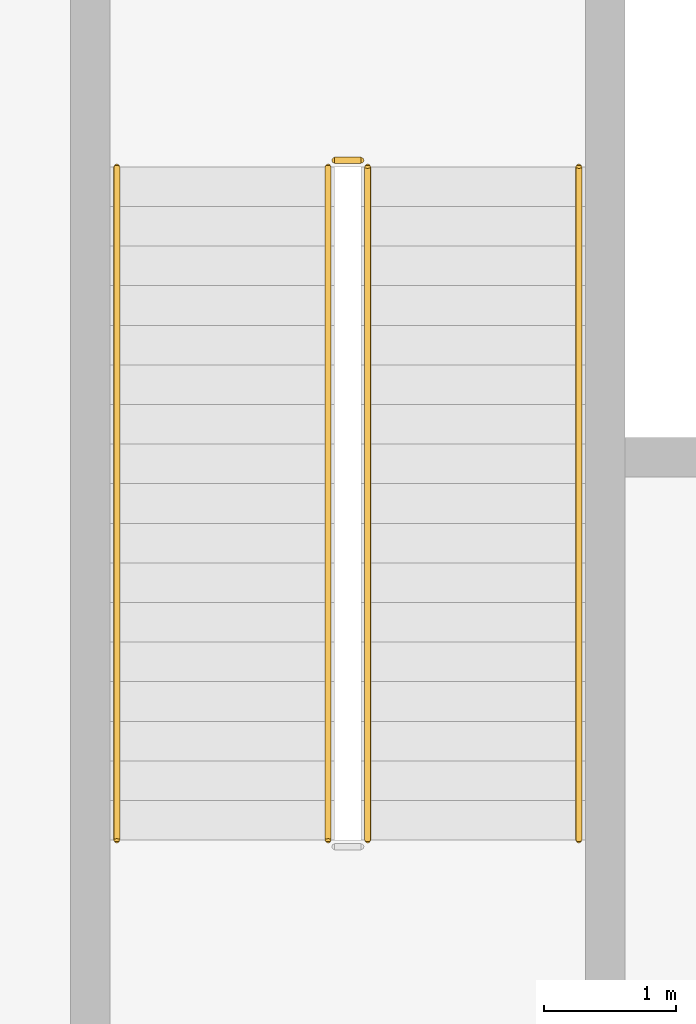
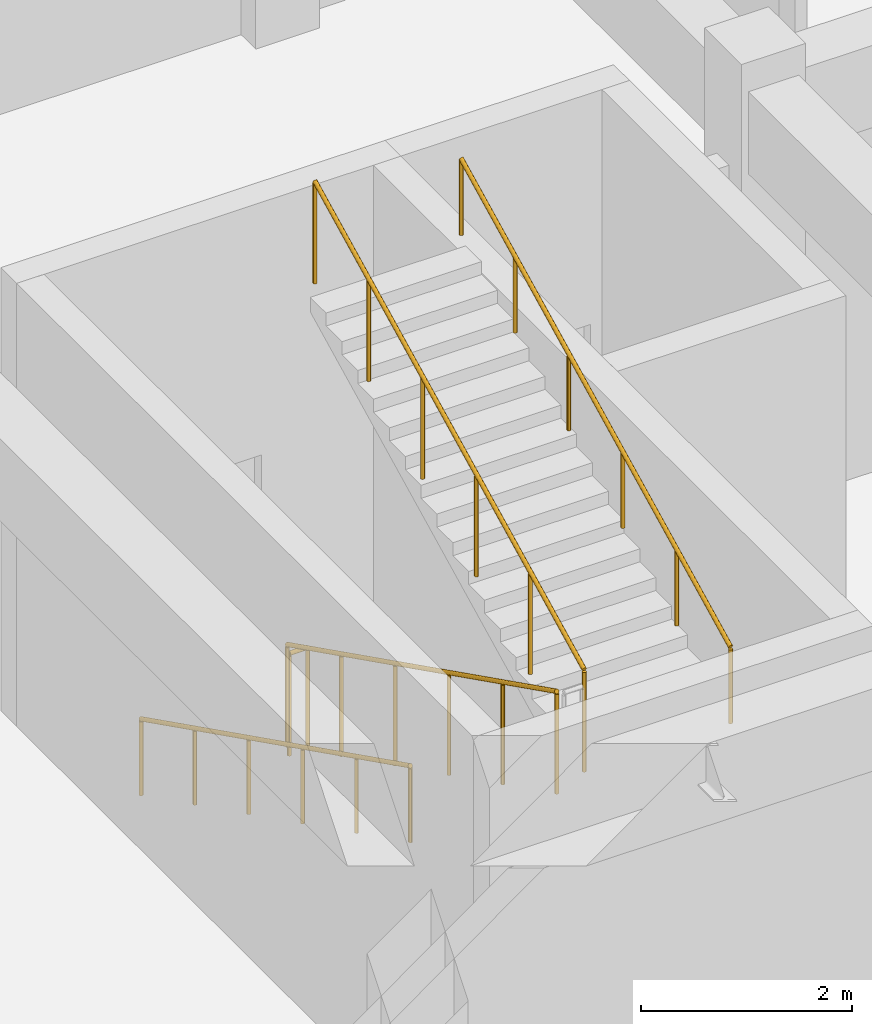
# One storey, part 75 of 76: 5 railings.
"""IFC4 building model written with IfcOpenShell, lengths in metres."""

from ifc_helpers import new_model, si_unit, direction, frame, origin, origin_2d, place, context, subcontext, project, spatial, circle, extrude, material, type_object, element, save


model = new_model("IFC4")

# Units and contexts
model_context = context("Model", 3, precision=1e-05, world=origin(), true_north=direction((0.0, 1.0)))
body_context = subcontext(model_context, "Body", "Model", "MODEL_VIEW")
ifc_project = project(units=[si_unit("LENGTHUNIT", "METRE"), si_unit("AREAUNIT", "SQUARE_METRE"), si_unit("VOLUMEUNIT", "CUBIC_METRE"), si_unit("PLANEANGLEUNIT", "RADIAN"), si_unit("MASSUNIT", "GRAM", prefix="KILO")], contexts=[model_context])

# Site, building, storey
site_placement = place(None, origin())
site = spatial("IfcSite", under=ifc_project, at=site_placement, CompositionType="ELEMENT")
building_placement = place(site_placement, origin())
building = spatial("IfcBuilding", under=site, at=building_placement, Name="Bozkorgan Art Gallery", CompositionType="ELEMENT")
storey_placement = place(building_placement, origin())
storey = spatial("IfcBuildingStorey", under=building, at=storey_placement, Name="L00", CompositionType="ELEMENT", Elevation=0.0)

# Railings
ifc_material = material(Name="Steel S355J2", Category="steel")
railing_type_1 = type_object("IfcRailingType", Name="RAIL-GRD-115", PredefinedType="GUARDRAIL", material=ifc_material)
railing_1_placement = place(storey_placement, frame((140.050048828125, 82.949951171875, 0.14990234375)))
element("IfcRailing", 1, at=railing_1_placement, inside=storey, type_object=railing_type_1, Name="L00 ST3 stair guard 1", PredefinedType="GUARDRAIL", context=body_context, shape_type="SweptSolid", body=[
    extrude(circle(Radius=0.02392578125, at=origin_2d()), frame((0.0, 0.0, 1.17578125), z_axis=(0.0, -0.894418627299, 0.447230722492), x_axis=(1.0, 0.0, 0.0)), (0.0, 0.0, 1.0), 5.701904296875),
    extrude(circle(Radius=0.02099609375, at=origin_2d()), origin(), (0.0, 0.0, 1.0), 1.15185546875),
    extrude(circle(Radius=0.02099609375, at=origin_2d()), frame((0.0, -1.02001953125, 0.510009765625)), (0.0, 0.0, 1.0), 1.15185546875),
    extrude(circle(Radius=0.02099609375, at=origin_2d()), frame((0.0, -2.0400390625, 1.02001953125)), (0.0, 0.0, 1.0), 1.15185546875),
    extrude(circle(Radius=0.02099609375, at=origin_2d()), frame((0.0, -3.059814453125, 1.530029296875)), (0.0, 0.0, 1.0), 1.15185546875),
    extrude(circle(Radius=0.02099609375, at=origin_2d()), frame((0.0, -4.079833984375, 2.0400390625)), (0.0, 0.0, 1.0), 1.15185546875),
    extrude(circle(Radius=0.02099609375, at=origin_2d()), frame((0.0, -5.099853515625, 2.550048828125)), (0.0, 0.0, 1.0), 1.15185546875),
])
railing_2_placement = place(storey_placement, frame((140.35009765625, 77.85009765625, 2.85009765625)))
element("IfcRailing", 2, at=railing_2_placement, inside=storey, type_object=railing_type_1, Name="L00 ST3 stair guard 3", PredefinedType="GUARDRAIL", context=body_context, shape_type="SweptSolid", body=[
    extrude(circle(Radius=0.02392578125, at=origin_2d()), frame((0.0, 0.0, 1.17578125), z_axis=(0.0, 0.894435754537, 0.447196468016), x_axis=(-1.0, 0.0, 0.0)), (0.0, 0.0, 1.0), 5.70166015625),
    extrude(circle(Radius=0.02099609375, at=origin_2d()), origin(), (0.0, 0.0, 1.0), 1.15185546875),
    extrude(circle(Radius=0.02099609375, at=origin_2d()), frame((0.0, 1.02001953125, 0.510009765625)), (0.0, 0.0, 1.0), 1.15185546875),
    extrude(circle(Radius=0.02099609375, at=origin_2d()), frame((0.0, 2.0400390625, 1.02001953125)), (0.0, 0.0, 1.0), 1.15185546875),
    extrude(circle(Radius=0.02099609375, at=origin_2d()), frame((0.0, 3.059814453125, 1.52978515625)), (0.0, 0.0, 1.0), 1.15185546875),
    extrude(circle(Radius=0.02099609375, at=origin_2d()), frame((0.0, 4.079833984375, 2.039794921875)), (0.0, 0.0, 1.0), 1.15185546875),
    extrude(circle(Radius=0.02099609375, at=origin_2d()), frame((0.0, 5.099853515625, 2.5498046875)), (0.0, 0.0, 1.0), 1.15185546875),
])
railing_3_placement = place(storey_placement, frame((140.10009765625, 83.0, 0.0)))
element("IfcRailing", 3, at=railing_3_placement, inside=storey, type_object=railing_type_1, Name="L00 ST3 stair guard 4", PredefinedType="GUARDRAIL", context=body_context, shape_type="SweptSolid", body=[
    extrude(circle(Radius=0.02392578125, at=origin_2d()), frame((0.0, 0.0, 1.17578125), z_axis=(1.0, 0.0, 0.0), x_axis=(0.0, 1.0, 0.0)), (0.0, 0.0, 1.0), 0.199951171875),
    extrude(circle(Radius=0.02099609375, at=origin_2d()), origin(), (0.0, 0.0, 1.0), 1.15185546875),
    extrude(circle(Radius=0.02099609375, at=origin_2d()), frame((0.199951171875, 0.0, 0.0)), (0.0, 0.0, 1.0), 1.15185546875),
])
railing_type_2 = type_object("IfcRailingType", Name="RAIL-HND-092", PredefinedType="HANDRAIL", material=ifc_material)
railing_4_placement = place(storey_placement, frame((138.449951171875, 82.949951171875, 0.14990234375)))
element("IfcRailing", 4, at=railing_4_placement, inside=storey, type_object=railing_type_2, Name="L00 ST3 stair handrail 1", PredefinedType="HANDRAIL", context=body_context, shape_type="SweptSolid", body=[
    extrude(circle(Radius=0.02392578125, at=origin_2d()), frame((0.0, 0.0, 0.8759765625), z_axis=(0.0, -0.894418627299, 0.447230722492), x_axis=(1.0, 0.0, 0.0)), (0.0, 0.0, 1.0), 5.701904296875),
    extrude(circle(Radius=0.02099609375, at=origin_2d()), origin(), (0.0, 0.0, 1.0), 0.851806640625),
    extrude(circle(Radius=0.02099609375, at=origin_2d()), frame((0.0, -1.02001953125, 0.510009765625)), (0.0, 0.0, 1.0), 0.851806640625),
    extrude(circle(Radius=0.02099609375, at=origin_2d()), frame((0.0, -2.0400390625, 1.02001953125)), (0.0, 0.0, 1.0), 0.851806640625),
    extrude(circle(Radius=0.02099609375, at=origin_2d()), frame((0.0, -3.059814453125, 1.530029296875)), (0.0, 0.0, 1.0), 0.851806640625),
    extrude(circle(Radius=0.02099609375, at=origin_2d()), frame((0.0, -4.079833984375, 2.0400390625)), (0.0, 0.0, 1.0), 0.851806640625),
    extrude(circle(Radius=0.02099609375, at=origin_2d()), frame((0.0, -5.099853515625, 2.550048828125)), (0.0, 0.0, 1.0), 0.851806640625),
])
railing_5_placement = place(storey_placement, frame((141.949951171875, 77.85009765625, 2.85009765625)))
element("IfcRailing", 5, at=railing_5_placement, inside=storey, type_object=railing_type_2, Name="L00 ST3 stair handrail 2", PredefinedType="HANDRAIL", context=body_context, shape_type="SweptSolid", body=[
    extrude(circle(Radius=0.02392578125, at=origin_2d()), frame((0.0, 0.0, 0.8759765625), z_axis=(0.0, 0.894435754537, 0.447196468016), x_axis=(-1.0, 0.0, 0.0)), (0.0, 0.0, 1.0), 5.70166015625),
    extrude(circle(Radius=0.02099609375, at=origin_2d()), origin(), (0.0, 0.0, 1.0), 0.851806640625),
    extrude(circle(Radius=0.02099609375, at=origin_2d()), frame((0.0, 1.02001953125, 0.510009765625)), (0.0, 0.0, 1.0), 0.851806640625),
    extrude(circle(Radius=0.02099609375, at=origin_2d()), frame((0.0, 2.0400390625, 1.02001953125)), (0.0, 0.0, 1.0), 0.851806640625),
    extrude(circle(Radius=0.02099609375, at=origin_2d()), frame((0.0, 3.059814453125, 1.52978515625)), (0.0, 0.0, 1.0), 0.851806640625),
    extrude(circle(Radius=0.02099609375, at=origin_2d()), frame((0.0, 4.079833984375, 2.039794921875)), (0.0, 0.0, 1.0), 0.851806640625),
    extrude(circle(Radius=0.02099609375, at=origin_2d()), frame((0.0, 5.099853515625, 2.5498046875)), (0.0, 0.0, 1.0), 0.851806640625),
])

save(model, "model.ifc")
